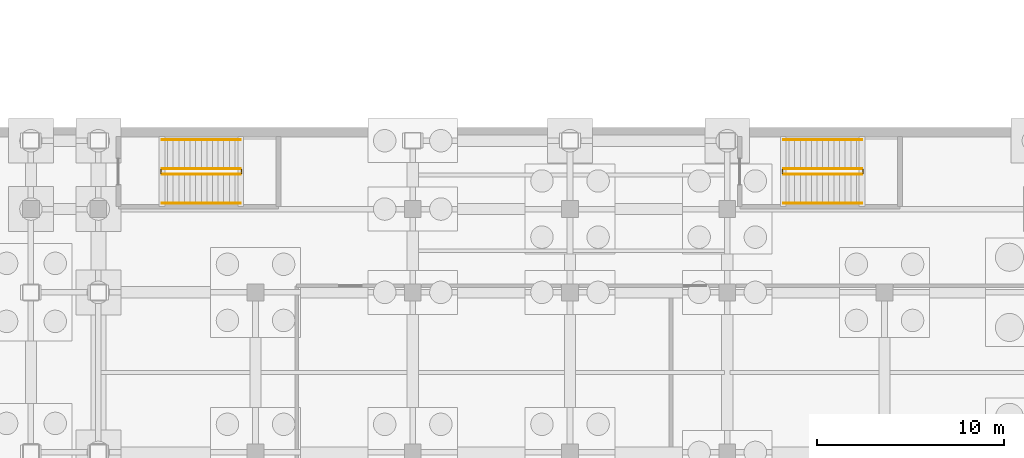
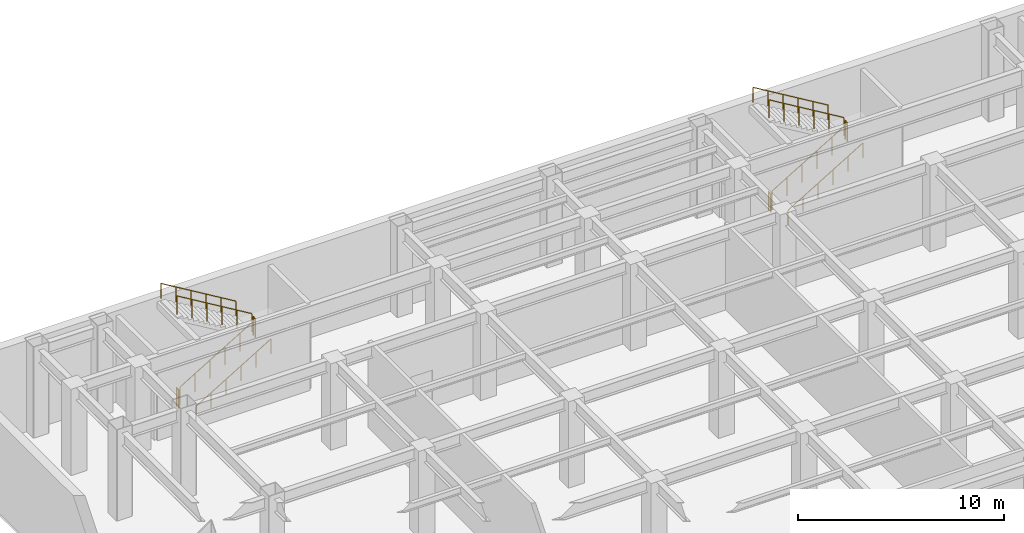
# One storey, part 48 of 55: 12 railings.
"""IFC4 building model written with IfcOpenShell, lengths in metres."""

from ifc_helpers import new_model, si_unit, direction, frame, origin, origin_2d, place, context, subcontext, project, spatial, circle, extrude, material, type_object, element, save


model = new_model("IFC4")

# Units and contexts
model_context = context("Model", 3, precision=1e-05, world=origin(), true_north=direction((0.0, 1.0)))
body_context = subcontext(model_context, "Body", "Model", "MODEL_VIEW")
ifc_project = project(units=[si_unit("LENGTHUNIT", "METRE"), si_unit("AREAUNIT", "SQUARE_METRE"), si_unit("VOLUMEUNIT", "CUBIC_METRE"), si_unit("PLANEANGLEUNIT", "RADIAN"), si_unit("MASSUNIT", "GRAM", prefix="KILO")], contexts=[model_context])

# Site, building, storey
site_placement = place(None, origin())
site = spatial("IfcSite", under=ifc_project, at=site_placement, CompositionType="ELEMENT")
building_placement = place(site_placement, origin())
building = spatial("IfcBuilding", under=site, at=building_placement, Name="Kazehara Bluff Congress Hotel", CompositionType="ELEMENT")
storey_placement = place(building_placement, frame((0.0, 0.0, -5.39990234375)))
storey = spatial("IfcBuildingStorey", under=building, at=storey_placement, Name="B1", CompositionType="ELEMENT", Elevation=-5.39990234375)

# Railings
ifc_material_1 = material(Name="Brushed stainless steel", Category="steel")
railing_type_1 = type_object("IfcRailingType", Name="TP-GRD-INT", PredefinedType="GUARDRAIL", material=ifc_material_1)
railing_1_placement = place(storey_placement, frame((11.800048828125, 111.75, 0.179931640625)))
element("IfcRailing", 1, at=railing_1_placement, inside=storey, type_object=railing_type_1, Name="B1 ST-01 stair guard 1", PredefinedType="GUARDRAIL", context=body_context, shape_type="SweptSolid", body=[
    extrude(circle(Radius=0.02392578125, at=origin_2d()), frame((0.0, 0.0, 1.076171875), z_axis=(0.857488527567, 0.0, 0.514503085598), x_axis=(0.0, 1.0, 0.0)), (0.0, 0.0, 1.0), 4.89794921875),
    extrude(circle(Radius=0.02099609375, at=origin_2d()), origin(), (0.0, 0.0, 1.0), 1.052001953125),
    extrude(circle(Radius=0.02099609375, at=origin_2d()), frame((0.840087890625, 0.0, 0.50390625)), (0.0, 0.0, 1.0), 1.052001953125),
    extrude(circle(Radius=0.02099609375, at=origin_2d()), frame((1.679931640625, 0.0, 1.008056640625)), (0.0, 0.0, 1.0), 1.052001953125),
    extrude(circle(Radius=0.02099609375, at=origin_2d()), frame((2.52001953125, 0.0, 1.511962890625)), (0.0, 0.0, 1.0), 1.052001953125),
    extrude(circle(Radius=0.02099609375, at=origin_2d()), frame((3.35986328125, 0.0, 2.01611328125)), (0.0, 0.0, 1.0), 1.052001953125),
    extrude(circle(Radius=0.02099609375, at=origin_2d()), frame((4.199951171875, 0.0, 2.52001953125)), (0.0, 0.0, 1.0), 1.052001953125),
])
railing_2_placement = place(storey_placement, frame((16.050048828125, 111.800048828125, 2.699951171875)))
element("IfcRailing", 2, at=railing_2_placement, inside=storey, type_object=railing_type_1, Name="B1 ST-01 stair guard 2", PredefinedType="GUARDRAIL", context=body_context, shape_type="SweptSolid", body=[
    extrude(circle(Radius=0.02392578125, at=origin_2d()), frame((0.0, 0.0, 1.076171875), z_axis=(0.0, 1.0, 0.0), x_axis=(-1.0, 0.0, 0.0)), (0.0, 0.0, 1.0), 0.199951171875),
    extrude(circle(Radius=0.02099609375, at=origin_2d()), origin(), (0.0, 0.0, 1.0), 1.052001953125),
    extrude(circle(Radius=0.02099609375, at=origin_2d()), frame((0.0, 0.199951171875, 0.0)), (0.0, 0.0, 1.0), 1.052001953125),
])
railing_3_placement = place(storey_placement, frame((16.0, 112.050048828125, 2.8798828125)))
element("IfcRailing", 3, at=railing_3_placement, inside=storey, type_object=railing_type_1, Name="B1 ST-01 stair guard 3", PredefinedType="GUARDRAIL", context=body_context, shape_type="SweptSolid", body=[
    extrude(circle(Radius=0.02392578125, at=origin_2d()), frame((0.0, 0.0, 1.076171875), z_axis=(-0.857488527567, 0.0, 0.514503085598), x_axis=(0.0, -1.0, 0.0)), (0.0, 0.0, 1.0), 4.89794921875),
    extrude(circle(Radius=0.02099609375, at=origin_2d()), origin(), (0.0, 0.0, 1.0), 1.052001953125),
    extrude(circle(Radius=0.02099609375, at=origin_2d()), frame((-0.840087890625, 0.0, 0.50390625)), (0.0, 0.0, 1.0), 1.052001953125),
    extrude(circle(Radius=0.02099609375, at=origin_2d()), frame((-1.679931640625, 0.0, 1.008056640625)), (0.0, 0.0, 1.0), 1.052001953125),
    extrude(circle(Radius=0.02099609375, at=origin_2d()), frame((-2.52001953125, 0.0, 1.511962890625)), (0.0, 0.0, 1.0), 1.052001953125),
    extrude(circle(Radius=0.02099609375, at=origin_2d()), frame((-3.35986328125, 0.0, 2.01611328125)), (0.0, 0.0, 1.0), 1.052001953125),
    extrude(circle(Radius=0.02099609375, at=origin_2d()), frame((-4.199951171875, 0.0, 2.52001953125)), (0.0, 0.0, 1.0), 1.052001953125),
])
railing_4_placement = place(storey_placement, frame((11.75, 111.800048828125, 0.0)))
element("IfcRailing", 4, at=railing_4_placement, inside=storey, type_object=railing_type_1, Name="B1 ST-01 stair guard 4", PredefinedType="GUARDRAIL", context=body_context, shape_type="SweptSolid", body=[
    extrude(circle(Radius=0.02392578125, at=origin_2d()), frame((0.0, 0.0, 1.076171875), z_axis=(0.0, 1.0, 0.0), x_axis=(-1.0, 0.0, 0.0)), (0.0, 0.0, 1.0), 0.199951171875),
    extrude(circle(Radius=0.02099609375, at=origin_2d()), origin(), (0.0, 0.0, 1.0), 1.052001953125),
    extrude(circle(Radius=0.02099609375, at=origin_2d()), frame((0.0, 0.199951171875, 0.0)), (0.0, 0.0, 1.0), 1.052001953125),
])
railing_5_placement = place(storey_placement, frame((45.0, 111.75, 0.179931640625)))
element("IfcRailing", 5, at=railing_5_placement, inside=storey, type_object=railing_type_1, Name="B1 ST-02 stair guard 1", PredefinedType="GUARDRAIL", context=body_context, shape_type="SweptSolid", body=[
    extrude(circle(Radius=0.02392578125, at=origin_2d()), frame((0.0, 0.0, 1.076171875), z_axis=(0.857488527567, 0.0, 0.514503085598), x_axis=(0.0, 1.0, 0.0)), (0.0, 0.0, 1.0), 4.89794921875),
    extrude(circle(Radius=0.02099609375, at=origin_2d()), origin(), (0.0, 0.0, 1.0), 1.052001953125),
    extrude(circle(Radius=0.02099609375, at=origin_2d()), frame((0.840087890625, 0.0, 0.50390625)), (0.0, 0.0, 1.0), 1.052001953125),
    extrude(circle(Radius=0.02099609375, at=origin_2d()), frame((1.679931640625, 0.0, 1.008056640625)), (0.0, 0.0, 1.0), 1.052001953125),
    extrude(circle(Radius=0.02099609375, at=origin_2d()), frame((2.52001953125, 0.0, 1.511962890625)), (0.0, 0.0, 1.0), 1.052001953125),
    extrude(circle(Radius=0.02099609375, at=origin_2d()), frame((3.35986328125, 0.0, 2.01611328125)), (0.0, 0.0, 1.0), 1.052001953125),
    extrude(circle(Radius=0.02099609375, at=origin_2d()), frame((4.199951171875, 0.0, 2.52001953125)), (0.0, 0.0, 1.0), 1.052001953125),
])
railing_6_placement = place(storey_placement, frame((49.25, 111.800048828125, 2.699951171875)))
element("IfcRailing", 6, at=railing_6_placement, inside=storey, type_object=railing_type_1, Name="B1 ST-02 stair guard 2", PredefinedType="GUARDRAIL", context=body_context, shape_type="SweptSolid", body=[
    extrude(circle(Radius=0.02392578125, at=origin_2d()), frame((0.0, 0.0, 1.076171875), z_axis=(0.0, 1.0, 0.0), x_axis=(-1.0, 0.0, 0.0)), (0.0, 0.0, 1.0), 0.199951171875),
    extrude(circle(Radius=0.02099609375, at=origin_2d()), origin(), (0.0, 0.0, 1.0), 1.052001953125),
    extrude(circle(Radius=0.02099609375, at=origin_2d()), frame((0.0, 0.199951171875, 0.0)), (0.0, 0.0, 1.0), 1.052001953125),
])
railing_7_placement = place(storey_placement, frame((49.199951171875, 112.050048828125, 2.8798828125)))
element("IfcRailing", 7, at=railing_7_placement, inside=storey, type_object=railing_type_1, Name="B1 ST-02 stair guard 3", PredefinedType="GUARDRAIL", context=body_context, shape_type="SweptSolid", body=[
    extrude(circle(Radius=0.02392578125, at=origin_2d()), frame((0.0, 0.0, 1.076171875), z_axis=(-0.857488527567, 0.0, 0.514503085598), x_axis=(0.0, -1.0, 0.0)), (0.0, 0.0, 1.0), 4.89794921875),
    extrude(circle(Radius=0.02099609375, at=origin_2d()), origin(), (0.0, 0.0, 1.0), 1.052001953125),
    extrude(circle(Radius=0.02099609375, at=origin_2d()), frame((-0.840087890625, 0.0, 0.50390625)), (0.0, 0.0, 1.0), 1.052001953125),
    extrude(circle(Radius=0.02099609375, at=origin_2d()), frame((-1.679931640625, 0.0, 1.008056640625)), (0.0, 0.0, 1.0), 1.052001953125),
    extrude(circle(Radius=0.02099609375, at=origin_2d()), frame((-2.52001953125, 0.0, 1.511962890625)), (0.0, 0.0, 1.0), 1.052001953125),
    extrude(circle(Radius=0.02099609375, at=origin_2d()), frame((-3.35986328125, 0.0, 2.01611328125)), (0.0, 0.0, 1.0), 1.052001953125),
    extrude(circle(Radius=0.02099609375, at=origin_2d()), frame((-4.199951171875, 0.0, 2.52001953125)), (0.0, 0.0, 1.0), 1.052001953125),
])
railing_8_placement = place(storey_placement, frame((44.949951171875, 111.800048828125, 0.0)))
element("IfcRailing", 8, at=railing_8_placement, inside=storey, type_object=railing_type_1, Name="B1 ST-02 stair guard 4", PredefinedType="GUARDRAIL", context=body_context, shape_type="SweptSolid", body=[
    extrude(circle(Radius=0.02392578125, at=origin_2d()), frame((0.0, 0.0, 1.076171875), z_axis=(0.0, 1.0, 0.0), x_axis=(-1.0, 0.0, 0.0)), (0.0, 0.0, 1.0), 0.199951171875),
    extrude(circle(Radius=0.02099609375, at=origin_2d()), origin(), (0.0, 0.0, 1.0), 1.052001953125),
    extrude(circle(Radius=0.02099609375, at=origin_2d()), frame((0.0, 0.199951171875, 0.0)), (0.0, 0.0, 1.0), 1.052001953125),
])
ifc_material_2 = material(Name="Brushed stainless steel", Category="steel")
railing_type_2 = type_object("IfcRailingType", Name="TP-HR-INT", PredefinedType="HANDRAIL", material=ifc_material_2)
railing_9_placement = place(storey_placement, frame((11.800048828125, 110.199951171875, 0.179931640625)))
element("IfcRailing", 9, at=railing_9_placement, inside=storey, type_object=railing_type_2, Name="B1 ST-01 stair handrail 1", PredefinedType="HANDRAIL", context=body_context, shape_type="SweptSolid", body=[
    extrude(circle(Radius=0.02392578125, at=origin_2d()), frame((0.0, 0.0, 0.8759765625), z_axis=(0.857488527567, 0.0, 0.514503085598), x_axis=(0.0, 1.0, 0.0)), (0.0, 0.0, 1.0), 4.89794921875),
    extrude(circle(Radius=0.02099609375, at=origin_2d()), origin(), (0.0, 0.0, 1.0), 0.851806640625),
    extrude(circle(Radius=0.02099609375, at=origin_2d()), frame((0.840087890625, 0.0, 0.50390625)), (0.0, 0.0, 1.0), 0.851806640625),
    extrude(circle(Radius=0.02099609375, at=origin_2d()), frame((1.679931640625, 0.0, 1.008056640625)), (0.0, 0.0, 1.0), 0.851806640625),
    extrude(circle(Radius=0.02099609375, at=origin_2d()), frame((2.52001953125, 0.0, 1.511962890625)), (0.0, 0.0, 1.0), 0.851806640625),
    extrude(circle(Radius=0.02099609375, at=origin_2d()), frame((3.35986328125, 0.0, 2.01611328125)), (0.0, 0.0, 1.0), 0.851806640625),
    extrude(circle(Radius=0.02099609375, at=origin_2d()), frame((4.199951171875, 0.0, 2.52001953125)), (0.0, 0.0, 1.0), 0.851806640625),
])
railing_10_placement = place(storey_placement, frame((16.0, 113.60009765625, 2.8798828125)))
element("IfcRailing", 10, at=railing_10_placement, inside=storey, type_object=railing_type_2, Name="B1 ST-01 stair handrail 2", PredefinedType="HANDRAIL", context=body_context, shape_type="SweptSolid", body=[
    extrude(circle(Radius=0.02392578125, at=origin_2d()), frame((0.0, 0.0, 0.8759765625), z_axis=(-0.857488527567, 0.0, 0.514503085598), x_axis=(0.0, -1.0, 0.0)), (0.0, 0.0, 1.0), 4.89794921875),
    extrude(circle(Radius=0.02099609375, at=origin_2d()), origin(), (0.0, 0.0, 1.0), 0.851806640625),
    extrude(circle(Radius=0.02099609375, at=origin_2d()), frame((-0.840087890625, 0.0, 0.50390625)), (0.0, 0.0, 1.0), 0.851806640625),
    extrude(circle(Radius=0.02099609375, at=origin_2d()), frame((-1.679931640625, 0.0, 1.008056640625)), (0.0, 0.0, 1.0), 0.851806640625),
    extrude(circle(Radius=0.02099609375, at=origin_2d()), frame((-2.52001953125, 0.0, 1.511962890625)), (0.0, 0.0, 1.0), 0.851806640625),
    extrude(circle(Radius=0.02099609375, at=origin_2d()), frame((-3.35986328125, 0.0, 2.01611328125)), (0.0, 0.0, 1.0), 0.851806640625),
    extrude(circle(Radius=0.02099609375, at=origin_2d()), frame((-4.199951171875, 0.0, 2.52001953125)), (0.0, 0.0, 1.0), 0.851806640625),
])
railing_11_placement = place(storey_placement, frame((45.0, 110.199951171875, 0.179931640625)))
element("IfcRailing", 11, at=railing_11_placement, inside=storey, type_object=railing_type_2, Name="B1 ST-02 stair handrail 1", PredefinedType="HANDRAIL", context=body_context, shape_type="SweptSolid", body=[
    extrude(circle(Radius=0.02392578125, at=origin_2d()), frame((0.0, 0.0, 0.8759765625), z_axis=(0.857488527567, 0.0, 0.514503085598), x_axis=(0.0, 1.0, 0.0)), (0.0, 0.0, 1.0), 4.89794921875),
    extrude(circle(Radius=0.02099609375, at=origin_2d()), origin(), (0.0, 0.0, 1.0), 0.851806640625),
    extrude(circle(Radius=0.02099609375, at=origin_2d()), frame((0.840087890625, 0.0, 0.50390625)), (0.0, 0.0, 1.0), 0.851806640625),
    extrude(circle(Radius=0.02099609375, at=origin_2d()), frame((1.679931640625, 0.0, 1.008056640625)), (0.0, 0.0, 1.0), 0.851806640625),
    extrude(circle(Radius=0.02099609375, at=origin_2d()), frame((2.52001953125, 0.0, 1.511962890625)), (0.0, 0.0, 1.0), 0.851806640625),
    extrude(circle(Radius=0.02099609375, at=origin_2d()), frame((3.35986328125, 0.0, 2.01611328125)), (0.0, 0.0, 1.0), 0.851806640625),
    extrude(circle(Radius=0.02099609375, at=origin_2d()), frame((4.199951171875, 0.0, 2.52001953125)), (0.0, 0.0, 1.0), 0.851806640625),
])
railing_12_placement = place(storey_placement, frame((49.199951171875, 113.60009765625, 2.8798828125)))
element("IfcRailing", 12, at=railing_12_placement, inside=storey, type_object=railing_type_2, Name="B1 ST-02 stair handrail 2", PredefinedType="HANDRAIL", context=body_context, shape_type="SweptSolid", body=[
    extrude(circle(Radius=0.02392578125, at=origin_2d()), frame((0.0, 0.0, 0.8759765625), z_axis=(-0.857488527567, 0.0, 0.514503085598), x_axis=(0.0, -1.0, 0.0)), (0.0, 0.0, 1.0), 4.89794921875),
    extrude(circle(Radius=0.02099609375, at=origin_2d()), origin(), (0.0, 0.0, 1.0), 0.851806640625),
    extrude(circle(Radius=0.02099609375, at=origin_2d()), frame((-0.840087890625, 0.0, 0.50390625)), (0.0, 0.0, 1.0), 0.851806640625),
    extrude(circle(Radius=0.02099609375, at=origin_2d()), frame((-1.679931640625, 0.0, 1.008056640625)), (0.0, 0.0, 1.0), 0.851806640625),
    extrude(circle(Radius=0.02099609375, at=origin_2d()), frame((-2.52001953125, 0.0, 1.511962890625)), (0.0, 0.0, 1.0), 0.851806640625),
    extrude(circle(Radius=0.02099609375, at=origin_2d()), frame((-3.35986328125, 0.0, 2.01611328125)), (0.0, 0.0, 1.0), 0.851806640625),
    extrude(circle(Radius=0.02099609375, at=origin_2d()), frame((-4.199951171875, 0.0, 2.52001953125)), (0.0, 0.0, 1.0), 0.851806640625),
])

save(model, "model.ifc")
